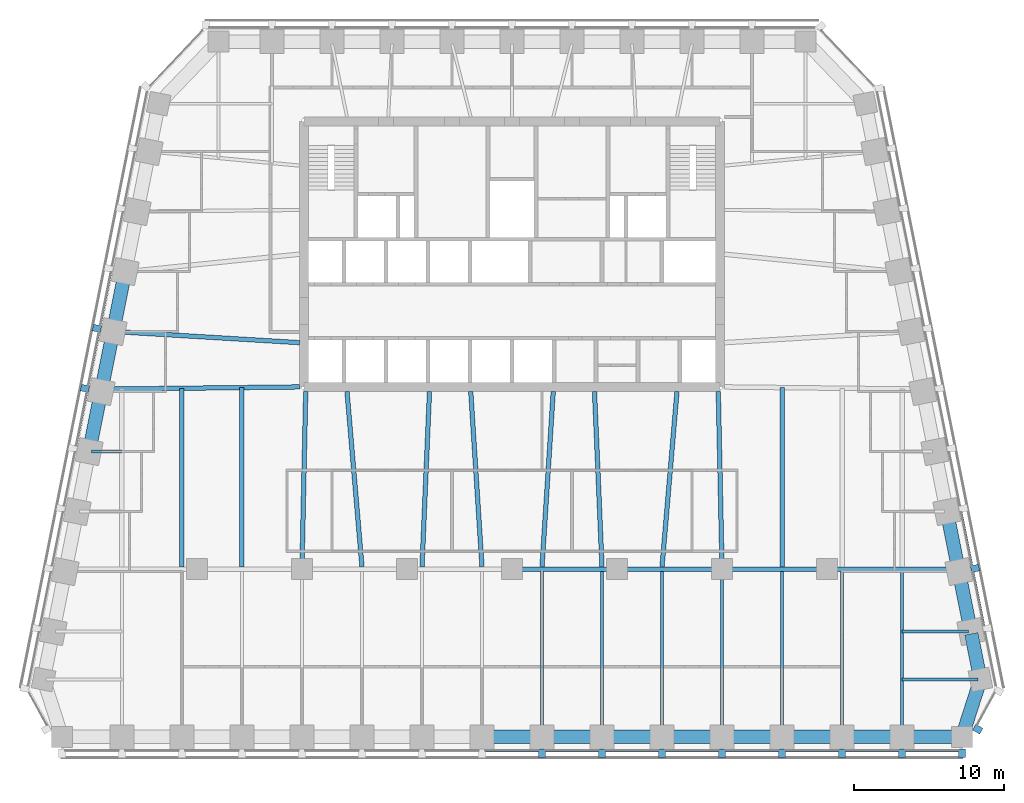
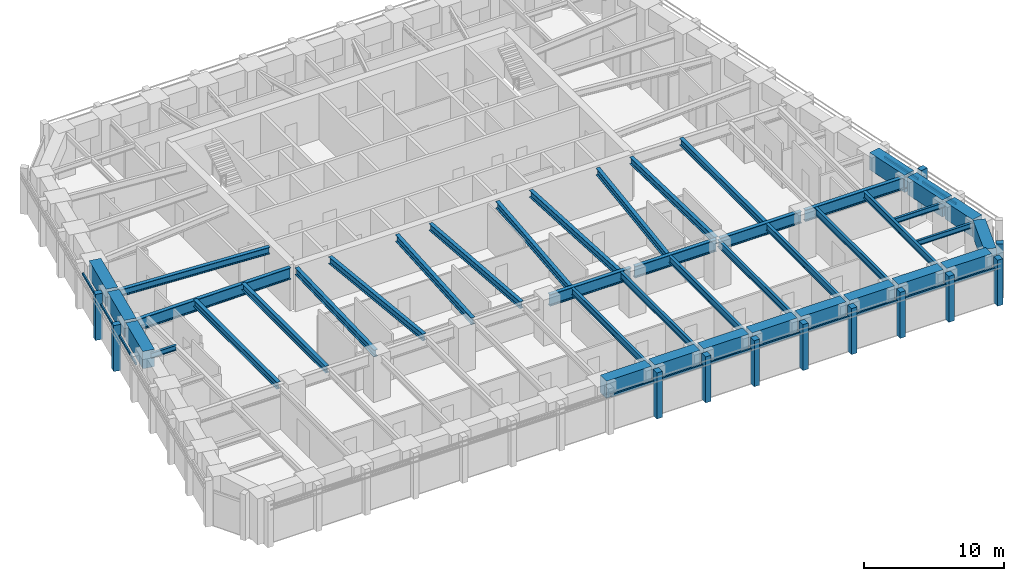
# One storey, part 2 of 11: 42 beams, 25 members, 4 elements without a shape of their own.
"""IFC4 building model written with IfcOpenShell, lengths in metres."""

from ifc_helpers import new_model, si_unit, direction, frame, origin, origin_2d, place, context, subcontext, project, spatial, rectangle, i_section, extrude, material, material_profile, profile_set, type_object, element, aggregate, save


model = new_model("IFC4")

# Units and contexts
model_context = context("Model", 3, precision=1e-05, world=origin(), true_north=direction((0.0, 1.0)))
body_context = subcontext(model_context, "Body", "Model", "MODEL_VIEW")
ifc_project = project(units=[si_unit("LENGTHUNIT", "METRE"), si_unit("AREAUNIT", "SQUARE_METRE"), si_unit("VOLUMEUNIT", "CUBIC_METRE"), si_unit("PLANEANGLEUNIT", "RADIAN"), si_unit("MASSUNIT", "GRAM", prefix="KILO")], contexts=[model_context])

# Site, building, storey
site_placement = place(None, origin())
site = spatial("IfcSite", under=ifc_project, at=site_placement, CompositionType="ELEMENT")
building_placement = place(site_placement, origin())
building = spatial("IfcBuilding", under=site, at=building_placement, Name="Isbrekke Arena Tower", CompositionType="ELEMENT")
storey_placement = place(building_placement, frame((0.0, 0.0, 210.0)))
storey = spatial("IfcBuildingStorey", under=building, at=storey_placement, Name="L48", CompositionType="ELEMENT", Elevation=210.0)

# Beams
ifc_material_1 = material(Name="Steel S355", Category="steel")
ifc_material_profile_1 = material_profile(ifc_material_1, i_section(OverallWidth=0.219970703125, OverallDepth=0.60009765625, WebThickness=0.011962890625, FlangeThickness=0.01904296875, FilletRadius=0.02392578125, at=origin_2d()), Name="IPE 600")
ifc_profile_set_1 = profile_set([ifc_material_profile_1], Name="Steel S355")
beam_type_1 = type_object("IfcBeamType", Name="B1 IPE 600", PredefinedType="BEAM", material=ifc_profile_set_1)
for number, where, z_axis, x_axis, name in (
    (1, (2.0, -17.02490234375, 3.550048828125), (0.0, 1.0, 0.0), (-1.0, 0.0, 0.0), "B1 beam S-S09 L48"),
    (2, (6.0, -17.02490234375, 3.550048828125), (0.0, 1.0, 0.0), (-1.0, 0.0, 0.0), "B1 beam S-S10 L48"),
    (3, (10.0, -17.02490234375, 3.550048828125), (0.0, 1.0, 0.0), (-1.0, 0.0, 0.0), "B1 beam S-S11 L48"),
):
    element("IfcBeam", number, at=place(storey_placement, frame(where, z_axis=z_axis, x_axis=x_axis)), inside=storey, type_object=beam_type_1, Name=name, PredefinedType="BEAM", context=body_context, shape_type="SweptSolid", body=[
        extrude(i_section(OverallWidth=0.219970703125, OverallDepth=0.60009765625, WebThickness=0.011962890625, FlangeThickness=0.01904296875, FilletRadius=0.02392578125, at=origin_2d()), origin(), (0.0, 0.0, 1.0), 10.8740234375),
    ])
beam_1_placement = place(storey_placement, frame((14.0, -17.02490234375, 3.550048828125), z_axis=(0.0, 1.0, 0.0), x_axis=(-1.0, 0.0, 0.0)))
element("IfcBeam", 4, at=beam_1_placement, inside=storey, type_object=beam_type_1, Name="B1 beam S-S12 L48", PredefinedType="BEAM", context=body_context, shape_type="SweptSolid", body=[
    extrude(i_section(OverallWidth=0.219970703125, OverallDepth=0.60009765625, WebThickness=0.011962890625, FlangeThickness=0.01904296875, FilletRadius=0.02392578125, at=origin_2d()), origin(), (0.0, 0.0, 1.0), 10.875),
])
for number, where, z_axis, x_axis, name in (
    (5, (18.0, -17.02490234375, 3.550048828125), (0.0, 1.0, 0.0), (-1.0, 0.0, 0.0), "B1 beam S-S13 L48"),
    (6, (22.0, -17.02490234375, 3.550048828125), (0.0, 1.0, 0.0), (-1.0, 0.0, 0.0), "B1 beam S-S14 L48"),
    (7, (26.0, -17.02490234375, 3.550048828125), (0.0, 1.0, 0.0), (-1.0, 0.0, 0.0), "B1 beam S-S15 L48"),
):
    element("IfcBeam", number, at=place(storey_placement, frame(where, z_axis=z_axis, x_axis=x_axis)), inside=storey, type_object=beam_type_1, Name=name, PredefinedType="BEAM", context=body_context, shape_type="SweptSolid", body=[
        extrude(i_section(OverallWidth=0.219970703125, OverallDepth=0.60009765625, WebThickness=0.011962890625, FlangeThickness=0.01904296875, FilletRadius=0.02392578125, at=origin_2d()), origin(), (0.0, 0.0, 1.0), 10.8740234375),
    ])
ifc_material_2 = material(Name="Steel S355", Category="steel")
ifc_material_profile_2 = material_profile(ifc_material_2, i_section(OverallWidth=0.18994140625, OverallDepth=0.449951171875, WebThickness=0.009521484375, FlangeThickness=0.0146484375, FilletRadius=0.02099609375, at=origin_2d()), Name="IPE 450")
ifc_profile_set_2 = profile_set([ifc_material_profile_2], Name="Steel S355")
beam_type_2 = type_object("IfcBeamType", Name="B2 IPE 450", PredefinedType="BEAM", material=ifc_profile_set_2)
beam_2_placement = place(storey_placement, frame((31.079345703125, -13.352783203125, 3.625), z_axis=(-1.0, 0.0, 0.0), x_axis=(0.0, -1.0, 0.0)))
element("IfcBeam", 8, at=beam_2_placement, inside=storey, type_object=beam_type_2, Name="B2 beam E-E01 L48", PredefinedType="BEAM", context=body_context, shape_type="SweptSolid", body=[
    extrude(i_section(OverallWidth=0.18994140625, OverallDepth=0.449951171875, WebThickness=0.009521484375, FlangeThickness=0.0146484375, FilletRadius=0.02099609375, at=origin_2d()), origin(), (0.0, 0.0, 1.0), 5.079345703125),
])
beam_3_placement = place(storey_placement, frame((30.44091796875, -10.161865234375, 3.625), z_axis=(-1.0, 0.0, 0.0), x_axis=(0.0, -1.0, 0.0)))
element("IfcBeam", 9, at=beam_3_placement, inside=storey, type_object=beam_type_2, Name="B2 beam E-E02 L48", PredefinedType="BEAM", context=body_context, shape_type="SweptSolid", body=[
    extrude(i_section(OverallWidth=0.18994140625, OverallDepth=0.449951171875, WebThickness=0.009521484375, FlangeThickness=0.0146484375, FilletRadius=0.02099609375, at=origin_2d()), origin(), (0.0, 0.0, 1.0), 4.44091796875),
])
beam_4_placement = place(storey_placement, frame((-28.041015625, 1.838134765625, 3.625), z_axis=(1.0, 0.0, 0.0), x_axis=(0.0, 1.0, 0.0)))
element("IfcBeam", 10, at=beam_4_placement, inside=storey, type_object=beam_type_2, Name="B2 beam E-W07 L48", PredefinedType="BEAM", context=body_context, shape_type="SweptSolid", body=[
    extrude(i_section(OverallWidth=0.18994140625, OverallDepth=0.449951171875, WebThickness=0.009521484375, FlangeThickness=0.0146484375, FilletRadius=0.02099609375, at=origin_2d()), origin(), (0.0, 0.0, 1.0), 2.041015625),
])
ifc_material_3 = material(Name="Steel S355", Category="steel")
ifc_material_profile_3 = material_profile(ifc_material_3, i_section(OverallWidth=0.300048828125, OverallDepth=0.60009765625, WebThickness=0.015380859375, FlangeThickness=0.030029296875, FilletRadius=0.027099609375, at=origin_2d()), Name="HEB 600")
ifc_profile_set_3 = profile_set([ifc_material_profile_3], Name="Steel S355")
beam_type_3 = type_object("IfcBeamType", Name="B7 HEB 600", PredefinedType="BEAM", material=ifc_profile_set_3)
beam_5_placement = place(storey_placement, frame((-22.0, -5.84912109375, 3.550048828125), z_axis=(0.0, 1.0, 0.0), x_axis=(-1.0, 0.0, 0.0)))
element("IfcBeam", 11, at=beam_5_placement, inside=storey, type_object=beam_type_3, Name="B7 beam C-M02 L48", PredefinedType="BEAM", context=body_context, shape_type="SweptSolid", body=[
    extrude(i_section(OverallWidth=0.300048828125, OverallDepth=0.60009765625, WebThickness=0.015380859375, FlangeThickness=0.030029296875, FilletRadius=0.027099609375, at=origin_2d()), origin(), (0.0, 0.0, 1.0), 11.91015625),
])
beam_6_placement = place(storey_placement, frame((-18.0, -5.84912109375, 3.550048828125), z_axis=(0.0, 1.0, 0.0), x_axis=(-1.0, 0.0, 0.0)))
element("IfcBeam", 12, at=beam_6_placement, inside=storey, type_object=beam_type_3, Name="B7 beam C-M03 L48", PredefinedType="BEAM", context=body_context, shape_type="SweptSolid", body=[
    extrude(i_section(OverallWidth=0.300048828125, OverallDepth=0.60009765625, WebThickness=0.015380859375, FlangeThickness=0.030029296875, FilletRadius=0.027099609375, at=origin_2d()), origin(), (0.0, 0.0, 1.0), 11.95556640625),
])
beam_7_placement = place(storey_placement, frame((-14.0, -5.8466796875, 3.550048828125), z_axis=(0.021368528218, 0.999771666933, 0.0), x_axis=(-0.999771666933, 0.021368528218, 0.0)))
element("IfcBeam", 13, at=beam_7_placement, inside=storey, type_object=beam_type_3, Name="B7 beam C-M04 L48", PredefinedType="BEAM", context=body_context, shape_type="SweptSolid", body=[
    extrude(i_section(OverallWidth=0.300048828125, OverallDepth=0.60009765625, WebThickness=0.015380859375, FlangeThickness=0.030029296875, FilletRadius=0.027099609375, at=origin_2d()), origin(), (0.0, 0.0, 1.0), 11.699462890625),
])
beam_8_placement = place(storey_placement, frame((-10.0009765625, -5.836181640625, 3.550048828125), z_axis=(-0.085176202372, 0.996365903948, 0.0), x_axis=(-0.996365903948, -0.085176202372, 0.0)))
element("IfcBeam", 14, at=beam_8_placement, inside=storey, type_object=beam_type_3, Name="B7 beam C-M05 L48", PredefinedType="BEAM", context=body_context, shape_type="SweptSolid", body=[
    extrude(i_section(OverallWidth=0.300048828125, OverallDepth=0.60009765625, WebThickness=0.015380859375, FlangeThickness=0.030029296875, FilletRadius=0.027099609375, at=origin_2d()), origin(), (0.0, 0.0, 1.0), 11.72900390625),
])
beam_9_placement = place(storey_placement, frame((-5.999755859375, -5.842529296875, 3.550048828125), z_axis=(0.042702124015, 0.999087848292, 0.0), x_axis=(-0.999087848292, 0.042702124015, 0.0)))
element("IfcBeam", 15, at=beam_9_placement, inside=storey, type_object=beam_type_3, Name="B7 beam C-M06 L48", PredefinedType="BEAM", context=body_context, shape_type="SweptSolid", body=[
    extrude(i_section(OverallWidth=0.300048828125, OverallDepth=0.60009765625, WebThickness=0.015380859375, FlangeThickness=0.030029296875, FilletRadius=0.027099609375, at=origin_2d()), origin(), (0.0, 0.0, 1.0), 11.703369140625),
])
for number, where, z_axis, x_axis, name in (
    (16, (-2.000732421875, -5.83935546875, 3.550048828125), (-0.063966475255, 0.997952047968, 0.0), (-0.997952047968, -0.063966475255, 0.0), "B7 beam C-M07 L48"),
    (17, (2.000732421875, -5.83935546875, 3.550048828125), (0.063966475255, 0.997952047968, 0.0), (-0.997952047968, 0.063966475255, 0.0), "B7 beam C-M08 L48"),
):
    element("IfcBeam", number, at=place(storey_placement, frame(where, z_axis=z_axis, x_axis=x_axis)), inside=storey, type_object=beam_type_3, Name=name, PredefinedType="BEAM", context=body_context, shape_type="SweptSolid", body=[
        extrude(i_section(OverallWidth=0.300048828125, OverallDepth=0.60009765625, WebThickness=0.015380859375, FlangeThickness=0.030029296875, FilletRadius=0.027099609375, at=origin_2d()), origin(), (0.0, 0.0, 1.0), 11.71337890625),
    ])
beam_10_placement = place(storey_placement, frame((5.999755859375, -5.842529296875, 3.550048828125), z_axis=(-0.042702124015, 0.999087848292, 0.0), x_axis=(-0.999087848292, -0.042702124015, 0.0)))
element("IfcBeam", 18, at=beam_10_placement, inside=storey, type_object=beam_type_3, Name="B7 beam C-M09 L48", PredefinedType="BEAM", context=body_context, shape_type="SweptSolid", body=[
    extrude(i_section(OverallWidth=0.300048828125, OverallDepth=0.60009765625, WebThickness=0.015380859375, FlangeThickness=0.030029296875, FilletRadius=0.027099609375, at=origin_2d()), origin(), (0.0, 0.0, 1.0), 11.703369140625),
])
beam_11_placement = place(storey_placement, frame((10.0009765625, -5.836181640625, 3.550048828125), z_axis=(0.085176202372, 0.996365903948, 0.0), x_axis=(-0.996365903948, 0.085176202372, 0.0)))
element("IfcBeam", 19, at=beam_11_placement, inside=storey, type_object=beam_type_3, Name="B7 beam C-M10 L48", PredefinedType="BEAM", context=body_context, shape_type="SweptSolid", body=[
    extrude(i_section(OverallWidth=0.300048828125, OverallDepth=0.60009765625, WebThickness=0.015380859375, FlangeThickness=0.030029296875, FilletRadius=0.027099609375, at=origin_2d()), origin(), (0.0, 0.0, 1.0), 11.72900390625),
])
beam_12_placement = place(storey_placement, frame((14.0, -5.8466796875, 3.550048828125), z_axis=(-0.021368528218, 0.999771666933, 0.0), x_axis=(-0.999771666933, -0.021368528218, 0.0)))
element("IfcBeam", 20, at=beam_12_placement, inside=storey, type_object=beam_type_3, Name="B7 beam C-M11 L48", PredefinedType="BEAM", context=body_context, shape_type="SweptSolid", body=[
    extrude(i_section(OverallWidth=0.300048828125, OverallDepth=0.60009765625, WebThickness=0.015380859375, FlangeThickness=0.030029296875, FilletRadius=0.027099609375, at=origin_2d()), origin(), (0.0, 0.0, 1.0), 11.699462890625),
])
beam_13_placement = place(storey_placement, frame((18.0, -5.84912109375, 3.550048828125), z_axis=(0.0, 1.0, 0.0), x_axis=(-1.0, 0.0, 0.0)))
element("IfcBeam", 21, at=beam_13_placement, inside=storey, type_object=beam_type_3, Name="B7 beam C-M12 L48", PredefinedType="BEAM", context=body_context, shape_type="SweptSolid", body=[
    extrude(i_section(OverallWidth=0.300048828125, OverallDepth=0.60009765625, WebThickness=0.015380859375, FlangeThickness=0.030029296875, FilletRadius=0.027099609375, at=origin_2d()), origin(), (0.0, 0.0, 1.0), 11.95556640625),
])
beam_14_placement = place(storey_placement, frame((-26.43212890625, 9.837646484375, 3.550048828125), z_axis=(0.998201854902, -0.059942112659, 0.0), x_axis=(0.059942112659, 0.998201854902, 0.0)))
element("IfcBeam", 22, at=beam_14_placement, inside=storey, type_object=beam_type_3, Name="B7 beam E-W05 L48", PredefinedType="BEAM", context=body_context, shape_type="SweptSolid", body=[
    extrude(i_section(OverallWidth=0.300048828125, OverallDepth=0.60009765625, WebThickness=0.015380859375, FlangeThickness=0.030029296875, FilletRadius=0.027099609375, at=origin_2d()), origin(), (0.0, 0.0, 1.0), 12.304443359375),
])

# Curtain wall, members
ifc_material_4 = material(Name="Glazed aluminium curtain wall", Category="aluminium")
curtain_wall_type = type_object("IfcCurtainWallType", Name="CWH TOWER CURTAIN WALL HIGH ZONE", PredefinedType="USERDEFINED", material=ifc_material_4)
curtain_wall_1_placement = place(storey_placement, origin())
curtain_wall_1 = element("IfcCurtainWall", 23, at=curtain_wall_1_placement, inside=storey, type_object=curtain_wall_type, Name="CWH curtain wall L48-S", ObjectType="TOWER CURTAIN WALL HIGH ZONE", PredefinedType="USERDEFINED")
ifc_material_5 = material(Name="Aluminium mullion, pale brick slip cladding", Category="masonry")
ifc_material_profile_4 = material_profile(ifc_material_5, rectangle(XDim=0.449951171875, YDim=0.550048828125, at=origin_2d()), Name="PIER 450X550")
ifc_profile_set_4 = profile_set([ifc_material_profile_4], Name="Aluminium mullion, pale brick slip cladding")
member_type_1 = type_object("IfcMemberType", Name="CWH-M PIER MULLION 450 x 550", PredefinedType="MULLION", material=ifc_profile_set_4)
member_1_placement = place(storey_placement, frame((2.0, -18.27490234375, 0.0), z_axis=(0.0, 0.0, 1.0), x_axis=(1.0, 0.0, 0.0)))
member_1 = element("IfcMember", 24, at=member_1_placement, type_object=member_type_1, Name="CWH-M mullion 9", PredefinedType="MULLION", context=body_context, shape_type="SweptSolid", body=[
    extrude(rectangle(XDim=0.449951171875, YDim=0.550048828125, at=origin_2d()), origin(), (0.0, 0.0, 1.0), 4.0),
])
member_2_placement = place(storey_placement, frame((6.0, -18.27490234375, 0.0), z_axis=(0.0, 0.0, 1.0), x_axis=(1.0, 0.0, 0.0)))
member_2 = element("IfcMember", 25, at=member_2_placement, type_object=member_type_1, Name="CWH-M mullion 10", PredefinedType="MULLION", context=body_context, shape_type="SweptSolid", body=[
    extrude(rectangle(XDim=0.449951171875, YDim=0.550048828125, at=origin_2d()), origin(), (0.0, 0.0, 1.0), 4.0),
])
member_3_placement = place(storey_placement, frame((10.0, -18.27490234375, 0.0), z_axis=(0.0, 0.0, 1.0), x_axis=(1.0, 0.0, 0.0)))
member_3 = element("IfcMember", 26, at=member_3_placement, type_object=member_type_1, Name="CWH-M mullion 11", PredefinedType="MULLION", context=body_context, shape_type="SweptSolid", body=[
    extrude(rectangle(XDim=0.449951171875, YDim=0.550048828125, at=origin_2d()), origin(), (0.0, 0.0, 1.0), 4.0),
])
member_4_placement = place(storey_placement, frame((14.0, -18.27490234375, 0.0), z_axis=(0.0, 0.0, 1.0), x_axis=(1.0, 0.0, 0.0)))
member_4 = element("IfcMember", 27, at=member_4_placement, type_object=member_type_1, Name="CWH-M mullion 12", PredefinedType="MULLION", context=body_context, shape_type="SweptSolid", body=[
    extrude(rectangle(XDim=0.449951171875, YDim=0.550048828125, at=origin_2d()), origin(), (0.0, 0.0, 1.0), 4.0),
])
member_5_placement = place(storey_placement, frame((18.0, -18.27490234375, 0.0), z_axis=(0.0, 0.0, 1.0), x_axis=(1.0, 0.0, 0.0)))
member_5 = element("IfcMember", 28, at=member_5_placement, type_object=member_type_1, Name="CWH-M mullion 13", PredefinedType="MULLION", context=body_context, shape_type="SweptSolid", body=[
    extrude(rectangle(XDim=0.449951171875, YDim=0.550048828125, at=origin_2d()), origin(), (0.0, 0.0, 1.0), 4.0),
])
member_6_placement = place(storey_placement, frame((22.0, -18.27490234375, 0.0), z_axis=(0.0, 0.0, 1.0), x_axis=(1.0, 0.0, 0.0)))
member_6 = element("IfcMember", 29, at=member_6_placement, type_object=member_type_1, Name="CWH-M mullion 14", PredefinedType="MULLION", context=body_context, shape_type="SweptSolid", body=[
    extrude(rectangle(XDim=0.449951171875, YDim=0.550048828125, at=origin_2d()), origin(), (0.0, 0.0, 1.0), 4.0),
])
member_7_placement = place(storey_placement, frame((26.0, -18.27490234375, 0.0), z_axis=(0.0, 0.0, 1.0), x_axis=(1.0, 0.0, 0.0)))
member_7 = element("IfcMember", 30, at=member_7_placement, type_object=member_type_1, Name="CWH-M mullion 15", PredefinedType="MULLION", context=body_context, shape_type="SweptSolid", body=[
    extrude(rectangle(XDim=0.449951171875, YDim=0.550048828125, at=origin_2d()), origin(), (0.0, 0.0, 1.0), 4.0),
])
member_8_placement = place(storey_placement, frame((30.0, -18.27490234375, 0.0), z_axis=(0.0, 0.0, 1.0), x_axis=(1.0, 0.0, 0.0)))
member_8 = element("IfcMember", 31, at=member_8_placement, type_object=member_type_1, Name="CWH-M mullion 16", PredefinedType="MULLION", context=body_context, shape_type="SweptSolid", body=[
    extrude(rectangle(XDim=0.449951171875, YDim=0.550048828125, at=origin_2d()), origin(), (0.0, 0.0, 1.0), 4.0),
])

# Curtain wall, member
curtain_wall_2_placement = place(storey_placement, origin())
curtain_wall_2 = element("IfcCurtainWall", 32, at=curtain_wall_2_placement, inside=storey, type_object=curtain_wall_type, Name="CWH curtain wall L48-SE", ObjectType="TOWER CURTAIN WALL HIGH ZONE", PredefinedType="USERDEFINED")
member_9_placement = place(storey_placement, frame((31.047119140625, -16.666748046875, 0.0), z_axis=(0.0, 0.0, 1.0), x_axis=(0.481918749773, 0.876215908676, 0.0)))
member_9 = element("IfcMember", 33, at=member_9_placement, type_object=member_type_1, Name="CWH-M mullion 1", PredefinedType="MULLION", context=body_context, shape_type="SweptSolid", body=[
    extrude(rectangle(XDim=0.449951171875, YDim=0.550048828125, at=origin_2d()), origin(), (0.0, 0.0, 1.0), 4.0),
])
aggregate(curtain_wall_2, [member_9])

curtain_wall_3_placement = place(storey_placement, origin())
curtain_wall_3 = element("IfcCurtainWall", 34, at=curtain_wall_3_placement, inside=storey, type_object=curtain_wall_type, Name="CWH curtain wall L48-E", ObjectType="TOWER CURTAIN WALL HIGH ZONE", PredefinedType="USERDEFINED")
member_10_placement = place(storey_placement, frame((30.86962890625, -5.946044921875, 0.0), z_axis=(0.0, 0.0, 1.0), x_axis=(-0.196116135138, 0.980580675691, 0.0)))
member_10 = element("IfcMember", 35, at=member_10_placement, type_object=member_type_1, Name="CWH-M mullion 2", PredefinedType="MULLION", context=body_context, shape_type="SweptSolid", body=[
    extrude(rectangle(XDim=0.449951171875, YDim=0.550048828125, at=origin_2d()), origin(), (0.0, 0.0, 1.0), 4.0),
])

# Curtain wall, members
curtain_wall_4_placement = place(storey_placement, origin())
curtain_wall_4 = element("IfcCurtainWall", 36, at=curtain_wall_4_placement, inside=storey, type_object=curtain_wall_type, Name="CWH curtain wall L48-W", ObjectType="TOWER CURTAIN WALL HIGH ZONE", PredefinedType="USERDEFINED")
member_11_placement = place(storey_placement, frame((-27.669677734375, 10.053955078125, 0.0), z_axis=(0.0, 0.0, 1.0), x_axis=(-0.196116135138, -0.980580675691, 0.0)))
member_11 = element("IfcMember", 37, at=member_11_placement, type_object=member_type_1, Name="CWH-M mullion 4", PredefinedType="MULLION", context=body_context, shape_type="SweptSolid", body=[
    extrude(rectangle(XDim=0.449951171875, YDim=0.550048828125, at=origin_2d()), origin(), (0.0, 0.0, 1.0), 4.0),
])
member_12_placement = place(storey_placement, frame((-28.4697265625, 6.053955078125, 0.0), z_axis=(0.0, 0.0, 1.0), x_axis=(-0.196116135138, -0.980580675691, 0.0)))
member_12 = element("IfcMember", 38, at=member_12_placement, type_object=member_type_1, Name="CWH-M mullion 5", PredefinedType="MULLION", context=body_context, shape_type="SweptSolid", body=[
    extrude(rectangle(XDim=0.449951171875, YDim=0.550048828125, at=origin_2d()), origin(), (0.0, 0.0, 1.0), 4.0),
])

# Member
ifc_material_6 = material(Name="Aluminium transom", Category="aluminium")
ifc_material_profile_5 = material_profile(ifc_material_6, rectangle(XDim=0.1201171875, YDim=0.199951171875, at=origin_2d()), Name="TRANSOM 120X200")
ifc_profile_set_5 = profile_set([ifc_material_profile_5], Name="Aluminium transom")
member_type_2 = type_object("IfcMemberType", Name="CWH-T TRANSOM 120 x 200", PredefinedType="USERDEFINED", material=ifc_profile_set_5)
member_13_placement = place(storey_placement, frame((-1.77490234375, -18.10009765625, 3.0), z_axis=(1.0, 0.0, 0.0), x_axis=(0.0, 1.0, 0.0)))
member_13 = element("IfcMember", 39, at=member_13_placement, type_object=member_type_2, Name="CWH-T transom 8", ObjectType="TRANSOM", PredefinedType="USERDEFINED", context=body_context, shape_type="SweptSolid", body=[
    extrude(rectangle(XDim=0.1201171875, YDim=0.199951171875, at=origin_2d()), origin(), (0.0, 0.0, 1.0), 3.5498046875),
])

member_14_placement = place(storey_placement, frame((2.22509765625, -18.10009765625, 3.0), z_axis=(1.0, 0.0, 0.0), x_axis=(0.0, 1.0, 0.0)))
member_14 = element("IfcMember", 40, at=member_14_placement, type_object=member_type_2, Name="CWH-T transom 9", ObjectType="TRANSOM", PredefinedType="USERDEFINED", context=body_context, shape_type="SweptSolid", body=[
    extrude(rectangle(XDim=0.1201171875, YDim=0.199951171875, at=origin_2d()), origin(), (0.0, 0.0, 1.0), 3.5498046875),
])

member_15_placement = place(storey_placement, frame((6.22509765625, -18.10009765625, 3.0), z_axis=(1.0, 0.0, 0.0), x_axis=(0.0, 1.0, 0.0)))
member_15 = element("IfcMember", 41, at=member_15_placement, type_object=member_type_2, Name="CWH-T transom 10", ObjectType="TRANSOM", PredefinedType="USERDEFINED", context=body_context, shape_type="SweptSolid", body=[
    extrude(rectangle(XDim=0.1201171875, YDim=0.199951171875, at=origin_2d()), origin(), (0.0, 0.0, 1.0), 3.5498046875),
])

member_16_placement = place(storey_placement, frame((10.22509765625, -18.10009765625, 3.0), z_axis=(1.0, 0.0, 0.0), x_axis=(0.0, 1.0, 0.0)))
member_16 = element("IfcMember", 42, at=member_16_placement, type_object=member_type_2, Name="CWH-T transom 11", ObjectType="TRANSOM", PredefinedType="USERDEFINED", context=body_context, shape_type="SweptSolid", body=[
    extrude(rectangle(XDim=0.1201171875, YDim=0.199951171875, at=origin_2d()), origin(), (0.0, 0.0, 1.0), 3.5498046875),
])

member_17_placement = place(storey_placement, frame((14.22509765625, -18.10009765625, 3.0), z_axis=(1.0, 0.0, 0.0), x_axis=(0.0, 1.0, 0.0)))
member_17 = element("IfcMember", 43, at=member_17_placement, type_object=member_type_2, Name="CWH-T transom 12", ObjectType="TRANSOM", PredefinedType="USERDEFINED", context=body_context, shape_type="SweptSolid", body=[
    extrude(rectangle(XDim=0.1201171875, YDim=0.199951171875, at=origin_2d()), origin(), (0.0, 0.0, 1.0), 3.5498046875),
])

member_18_placement = place(storey_placement, frame((18.22509765625, -18.10009765625, 3.0), z_axis=(1.0, 0.0, 0.0), x_axis=(0.0, 1.0, 0.0)))
member_18 = element("IfcMember", 44, at=member_18_placement, type_object=member_type_2, Name="CWH-T transom 13", ObjectType="TRANSOM", PredefinedType="USERDEFINED", context=body_context, shape_type="SweptSolid", body=[
    extrude(rectangle(XDim=0.1201171875, YDim=0.199951171875, at=origin_2d()), origin(), (0.0, 0.0, 1.0), 3.5498046875),
])

member_19_placement = place(storey_placement, frame((22.22509765625, -18.10009765625, 3.0), z_axis=(1.0, 0.0, 0.0), x_axis=(0.0, 1.0, 0.0)))
member_19 = element("IfcMember", 45, at=member_19_placement, type_object=member_type_2, Name="CWH-T transom 14", ObjectType="TRANSOM", PredefinedType="USERDEFINED", context=body_context, shape_type="SweptSolid", body=[
    extrude(rectangle(XDim=0.1201171875, YDim=0.199951171875, at=origin_2d()), origin(), (0.0, 0.0, 1.0), 3.5498046875),
])

member_20_placement = place(storey_placement, frame((26.22509765625, -18.10009765625, 3.0), z_axis=(1.0, 0.0, 0.0), x_axis=(0.0, 1.0, 0.0)))
member_20 = element("IfcMember", 46, at=member_20_placement, type_object=member_type_2, Name="CWH-T transom 15", ObjectType="TRANSOM", PredefinedType="USERDEFINED", context=body_context, shape_type="SweptSolid", body=[
    extrude(rectangle(XDim=0.1201171875, YDim=0.199951171875, at=origin_2d()), origin(), (0.0, 0.0, 1.0), 3.5498046875),
])

aggregate(curtain_wall_1, [member_1, member_2, member_3, member_4, member_5, member_6, member_7, member_8, member_13, member_14, member_15, member_16, member_17, member_18, member_19, member_20])

member_21_placement = place(storey_placement, frame((31.453857421875, -9.759765625, 3.0), z_axis=(-0.196090262229, 0.980585849918, 0.0), x_axis=(-0.980585849918, -0.196090262229, 0.0)))
member_21 = element("IfcMember", 47, at=member_21_placement, type_object=member_type_2, Name="CWH-T transom 2", ObjectType="TRANSOM", PredefinedType="USERDEFINED", context=body_context, shape_type="SweptSolid", body=[
    extrude(rectangle(XDim=0.1201171875, YDim=0.199951171875, at=origin_2d()), origin(), (0.0, 0.0, 1.0), 3.62939453125),
])

member_22_placement = place(storey_placement, frame((30.654052734375, -5.759765625, 3.0), z_axis=(-0.196154943734, 0.980572913173, 0.0), x_axis=(-0.980572913173, -0.196154943734, 0.0)))
member_22 = element("IfcMember", 48, at=member_22_placement, type_object=member_type_2, Name="CWH-T transom 3", ObjectType="TRANSOM", PredefinedType="USERDEFINED", context=body_context, shape_type="SweptSolid", body=[
    extrude(rectangle(XDim=0.1201171875, YDim=0.199951171875, at=origin_2d()), origin(), (0.0, 0.0, 1.0), 3.62939453125),
])

aggregate(curtain_wall_3, [member_10, member_21, member_22])

member_23_placement = place(storey_placement, frame((-26.7421875, 13.799072265625, 3.0), z_axis=(-0.196090262229, -0.980585849918, 0.0), x_axis=(0.980585849918, -0.196090262229, 0.0)))
member_23 = element("IfcMember", 49, at=member_23_placement, type_object=member_type_2, Name="CWH-T transom 4", ObjectType="TRANSOM", PredefinedType="USERDEFINED", context=body_context, shape_type="SweptSolid", body=[
    extrude(rectangle(XDim=0.1201171875, YDim=0.199951171875, at=origin_2d()), origin(), (0.0, 0.0, 1.0), 3.62939453125),
])

member_24_placement = place(storey_placement, frame((-27.542236328125, 9.799072265625, 3.0), z_axis=(-0.196090262229, -0.980585849918, 0.0), x_axis=(0.980585849918, -0.196090262229, 0.0)))
member_24 = element("IfcMember", 50, at=member_24_placement, type_object=member_type_2, Name="CWH-T transom 5", ObjectType="TRANSOM", PredefinedType="USERDEFINED", context=body_context, shape_type="SweptSolid", body=[
    extrude(rectangle(XDim=0.1201171875, YDim=0.199951171875, at=origin_2d()), origin(), (0.0, 0.0, 1.0), 3.62939453125),
])

member_25_placement = place(storey_placement, frame((-28.34228515625, 5.799072265625, 3.0), z_axis=(-0.196090262229, -0.980585849918, 0.0), x_axis=(0.980585849918, -0.196090262229, 0.0)))
member_25 = element("IfcMember", 51, at=member_25_placement, type_object=member_type_2, Name="CWH-T transom 6", ObjectType="TRANSOM", PredefinedType="USERDEFINED", context=body_context, shape_type="SweptSolid", body=[
    extrude(rectangle(XDim=0.1201171875, YDim=0.199951171875, at=origin_2d()), origin(), (0.0, 0.0, 1.0), 3.62939453125),
])

aggregate(curtain_wall_4, [member_11, member_12, member_23, member_24, member_25])

# Beams
ifc_material_7 = material(Name="Steel S355", Category="steel")
ifc_material_profile_6 = material_profile(ifc_material_7, i_section(OverallWidth=0.302001953125, OverallDepth=1.008056640625, WebThickness=0.02099609375, FlangeThickness=0.0400390625, FilletRadius=0.030029296875, at=origin_2d()), Name="HEM 1000")
ifc_profile_set_6 = profile_set([ifc_material_profile_6], Name="Steel S355")
beam_type_4 = type_object("IfcBeamType", Name="G1 HEM 1000", PredefinedType="BEAM", material=ifc_profile_set_6)
for number, where, z_axis, x_axis, name in (
    (52, (0.14990234375, -6.0, 3.345947265625), (1.0, 0.0, 0.0), (0.0, 1.0, 0.0), "G1 beam G1-05 L48"),
    (53, (7.14990234375, -6.0, 3.345947265625), (1.0, 0.0, 0.0), (0.0, 1.0, 0.0), "G1 beam G1-06 L48"),
    (54, (14.14990234375, -6.0, 3.345947265625), (1.0, 0.0, 0.0), (0.0, 1.0, 0.0), "G1 beam G1-07 L48"),
):
    element("IfcBeam", number, at=place(storey_placement, frame(where, z_axis=z_axis, x_axis=x_axis)), inside=storey, type_object=beam_type_4, Name=name, PredefinedType="BEAM", context=body_context, shape_type="SweptSolid", body=[
        extrude(i_section(OverallWidth=0.302001953125, OverallDepth=1.008056640625, WebThickness=0.02099609375, FlangeThickness=0.0400390625, FilletRadius=0.030029296875, at=origin_2d()), origin(), (0.0, 0.0, 1.0), 6.7001953125),
    ])
beam_15_placement = place(storey_placement, frame((21.14990234375, -6.0, 3.345947265625), z_axis=(1.0, 0.0, 0.0), x_axis=(0.0, 1.0, 0.0)))
element("IfcBeam", 55, at=beam_15_placement, inside=storey, type_object=beam_type_4, Name="G1 beam G1-08 L48", PredefinedType="BEAM", context=body_context, shape_type="SweptSolid", body=[
    extrude(i_section(OverallWidth=0.302001953125, OverallDepth=1.008056640625, WebThickness=0.02099609375, FlangeThickness=0.0400390625, FilletRadius=0.030029296875, at=origin_2d()), origin(), (0.0, 0.0, 1.0), 8.64111328125),
])
ifc_material_8 = material(Name="Steel S355", Category="steel")
ifc_material_profile_7 = material_profile(ifc_material_8, i_section(OverallWidth=0.302001953125, OverallDepth=1.008056640625, WebThickness=0.02099609375, FlangeThickness=0.0400390625, FilletRadius=0.030029296875, at=origin_2d()), Name="HEM 1000")
ifc_profile_set_7 = profile_set([ifc_material_profile_7], Name="Steel S355")
beam_type_5 = type_object("IfcBeamType", Name="G2 HEM 1000", PredefinedType="BEAM", material=ifc_profile_set_7)
beam_16_placement = place(storey_placement, frame((-14.14990234375, 6.14990234375, 3.345947265625), z_axis=(-0.999935908299, -0.011321629528, 0.0), x_axis=(0.011321629528, -0.999935908299, 0.0)))
element("IfcBeam", 56, at=beam_16_placement, inside=storey, type_object=beam_type_5, Name="G2 beam G2-W L48", PredefinedType="BEAM", context=body_context, shape_type="SweptSolid", body=[
    extrude(i_section(OverallWidth=0.302001953125, OverallDepth=1.008056640625, WebThickness=0.02099609375, FlangeThickness=0.0400390625, FilletRadius=0.030029296875, at=origin_2d()), origin(), (0.0, 0.0, 1.0), 13.240234375),
])
ifc_material_9 = material(Name="Concrete B65 (C65/80)", Category="concrete")
ifc_material_profile_8 = material_profile(ifc_material_9, rectangle(XDim=0.89990234375, YDim=1.5, at=origin_2d()), Name="RC 900x1500")
ifc_profile_set_8 = profile_set([ifc_material_profile_8], Name="Concrete B65 (C65/80)")
beam_type_6 = type_object("IfcBeamType", Name="SB3 RC 900 x 1500", PredefinedType="SPANDREL", material=ifc_profile_set_8)
for number, where, z_axis, x_axis, name in (
    (57, (-1.85009765625, -17.175048828125, 3.25), (1.0, 0.0, 0.0), (0.0, 1.0, 0.0), "SB3 spandrel S08-S09 L48"),
    (58, (2.14990234375, -17.175048828125, 3.25), (1.0, 0.0, 0.0), (0.0, 1.0, 0.0), "SB3 spandrel S09-S10 L48"),
    (59, (6.14990234375, -17.175048828125, 3.25), (1.0, 0.0, 0.0), (0.0, 1.0, 0.0), "SB3 spandrel S10-S11 L48"),
    (60, (10.14990234375, -17.175048828125, 3.25), (1.0, 0.0, 0.0), (0.0, 1.0, 0.0), "SB3 spandrel S11-S12 L48"),
    (61, (14.14990234375, -17.175048828125, 3.25), (1.0, 0.0, 0.0), (0.0, 1.0, 0.0), "SB3 spandrel S12-S13 L48"),
    (62, (18.14990234375, -17.175048828125, 3.25), (1.0, 0.0, 0.0), (0.0, 1.0, 0.0), "SB3 spandrel S13-S14 L48"),
    (63, (22.14990234375, -17.175048828125, 3.25), (1.0, 0.0, 0.0), (0.0, 1.0, 0.0), "SB3 spandrel S14-S15 L48"),
    (64, (26.14990234375, -17.175048828125, 3.25), (1.0, 0.0, 0.0), (0.0, 1.0, 0.0), "SB3 spandrel S15-S16 L48"),
):
    element("IfcBeam", number, at=place(storey_placement, frame(where, z_axis=z_axis, x_axis=x_axis)), inside=storey, type_object=beam_type_6, Name=name, PredefinedType="SPANDREL", context=body_context, shape_type="SweptSolid", body=[
        extrude(rectangle(XDim=0.89990234375, YDim=1.5, at=origin_2d()), origin(), (0.0, 0.0, 1.0), 3.7001953125),
    ])
beam_17_placement = place(storey_placement, frame((30.0458984375, -17.0322265625, 3.25), z_axis=(0.306175101476, 0.951975213562, 0.0), x_axis=(-0.951975213562, 0.306175101476, 0.0)))
element("IfcBeam", 65, at=beam_17_placement, inside=storey, type_object=beam_type_6, Name="SB3 spandrel S16-E01 L48", PredefinedType="SPANDREL", context=body_context, shape_type="SweptSolid", body=[
    extrude(rectangle(XDim=0.89990234375, YDim=1.5, at=origin_2d()), origin(), (0.0, 0.0, 1.0), 3.715087890625),
])
beam_18_placement = place(storey_placement, frame((31.19970703125, -13.205810546875, 3.25), z_axis=(-0.196100243168, 0.980583853951, 0.0), x_axis=(-0.980583853951, -0.196100243168, 0.0)))
element("IfcBeam", 66, at=beam_18_placement, inside=storey, type_object=beam_type_6, Name="SB3 spandrel E01-E02 L48", PredefinedType="SPANDREL", context=body_context, shape_type="SweptSolid", body=[
    extrude(rectangle(XDim=0.89990234375, YDim=1.5, at=origin_2d()), origin(), (0.0, 0.0, 1.0), 2.954345703125),
])
beam_19_placement = place(storey_placement, frame((30.5615234375, -10.0146484375, 3.25), z_axis=(-0.1960664412, 0.980590613169, 0.0), x_axis=(-0.980590613169, -0.1960664412, 0.0)))
element("IfcBeam", 67, at=beam_19_placement, inside=storey, type_object=beam_type_6, Name="SB3 spandrel E02-E03 L48", PredefinedType="SPANDREL", context=body_context, shape_type="SweptSolid", body=[
    extrude(rectangle(XDim=0.89990234375, YDim=1.5, at=origin_2d()), origin(), (0.0, 0.0, 1.0), 3.779052734375),
])
beam_20_placement = place(storey_placement, frame((29.76171875, -6.0146484375, 3.25), z_axis=(-0.196128558387, 0.980578190959, 0.0), x_axis=(-0.980578190959, -0.196128558387, 0.0)))
element("IfcBeam", 68, at=beam_20_placement, inside=storey, type_object=beam_type_6, Name="SB3 spandrel E03-E04 L48", PredefinedType="SPANDREL", context=body_context, shape_type="SweptSolid", body=[
    extrude(rectangle(XDim=0.89990234375, YDim=1.5, at=origin_2d()), origin(), (0.0, 0.0, 1.0), 3.779296875),
])
beam_21_placement = place(storey_placement, frame((-25.820556640625, 13.691162109375, 3.25), z_axis=(-0.1960664412, -0.980590613169, 0.0), x_axis=(0.980590613169, -0.1960664412, 0.0)))
element("IfcBeam", 69, at=beam_21_placement, inside=storey, type_object=beam_type_6, Name="SB3 spandrel W04-W05 L48", PredefinedType="SPANDREL", context=body_context, shape_type="SweptSolid", body=[
    extrude(rectangle(XDim=0.89990234375, YDim=1.5, at=origin_2d()), origin(), (0.0, 0.0, 1.0), 3.779052734375),
])
for number, where, z_axis, x_axis, name in (
    (70, (-26.620361328125, 9.691162109375, 3.25), (-0.196128558387, -0.980578190959, 0.0), (0.980578190959, -0.196128558387, 0.0), "SB3 spandrel W05-W06 L48"),
    (71, (-27.42041015625, 5.691162109375, 3.25), (-0.196128558387, -0.980578190959, 0.0), (0.980578190959, -0.196128558387, 0.0), "SB3 spandrel W06-W07 L48"),
):
    element("IfcBeam", number, at=place(storey_placement, frame(where, z_axis=z_axis, x_axis=x_axis)), inside=storey, type_object=beam_type_6, Name=name, PredefinedType="SPANDREL", context=body_context, shape_type="SweptSolid", body=[
        extrude(rectangle(XDim=0.89990234375, YDim=1.5, at=origin_2d()), origin(), (0.0, 0.0, 1.0), 3.779296875),
    ])

save(model, "model.ifc")
